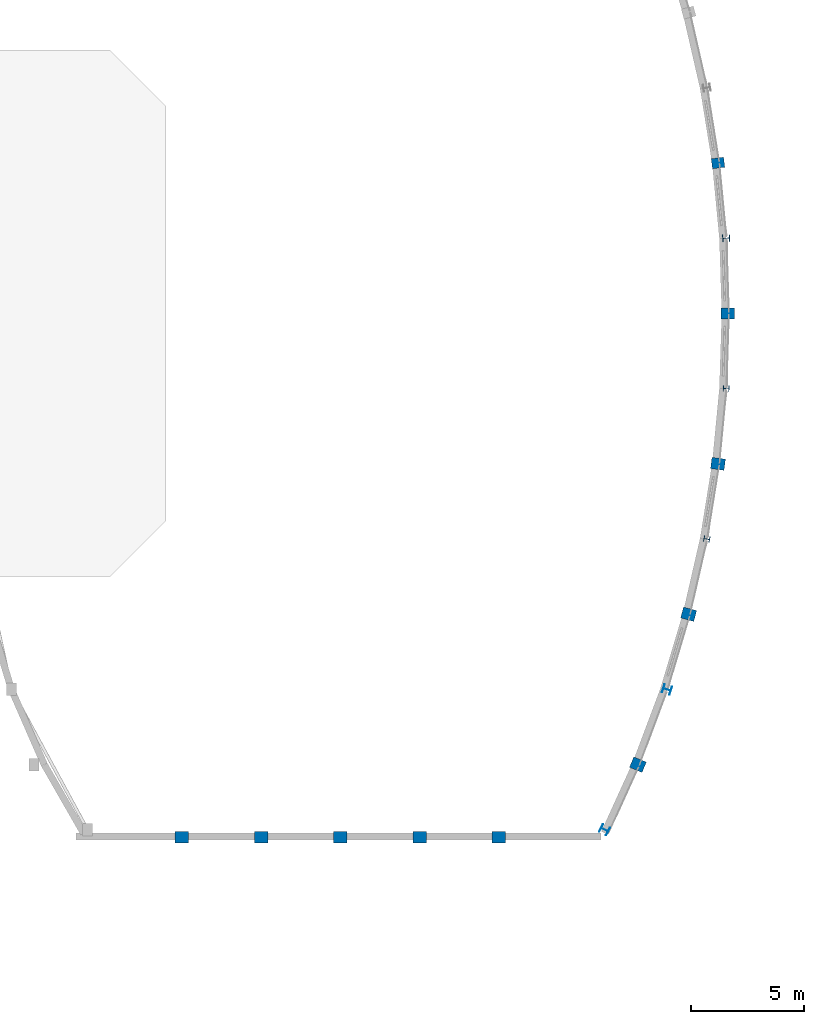
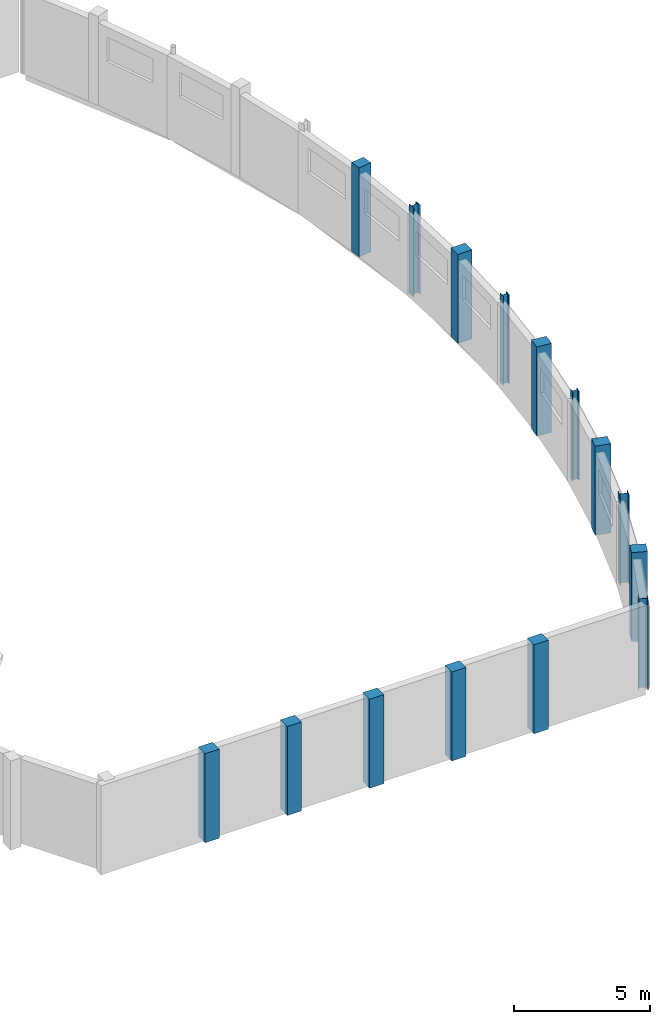
# One storey, part 12 of 89: 15 columns.
"""IFC4 building model written with IfcOpenShell, lengths in metres."""

from ifc_helpers import new_model, si_unit, direction, frame, origin, origin_2d, place, context, subcontext, project, spatial, rectangle, i_section, extrude, material, material_profile, profile_set, type_object, element, save


model = new_model("IFC4")

# Units and contexts
model_context = context("Model", 3, precision=1e-05, world=origin(), true_north=direction((0.0, 1.0)))
body_context = subcontext(model_context, "Body", "Model", "MODEL_VIEW")
ifc_project = project(units=[si_unit("LENGTHUNIT", "METRE"), si_unit("AREAUNIT", "SQUARE_METRE"), si_unit("VOLUMEUNIT", "CUBIC_METRE"), si_unit("PLANEANGLEUNIT", "RADIAN"), si_unit("MASSUNIT", "GRAM", prefix="KILO")], contexts=[model_context])

# Site, building, storey
site_placement = place(None, origin())
site = spatial("IfcSite", under=ifc_project, at=site_placement, CompositionType="ELEMENT")
building_placement = place(site_placement, origin())
building = spatial("IfcBuilding", under=site, at=building_placement, Name="Kelanivale Promenade Academy", CompositionType="ELEMENT")
storey_placement = place(building_placement, frame((0.0, 0.0, 12.199951171875)))
storey = spatial("IfcBuildingStorey", under=building, at=storey_placement, Name="L03", CompositionType="ELEMENT", Elevation=12.199951171875)

# Columns
ifc_material_1 = material(Name="Concrete C40/50", Category="concrete")
ifc_material_profile_1 = material_profile(ifc_material_1, rectangle(XDim=0.449951171875, YDim=0.550048828125, at=origin_2d()), Name="RC-PIL 450x550")
ifc_profile_set_1 = profile_set([ifc_material_profile_1], Name="Concrete C40/50")
column_type_1 = type_object("IfcColumnType", Name="PL-17 RC-PIL 450x550", PredefinedType="PILASTER", material=ifc_profile_set_1)
column_1_placement = place(storey_placement, frame((155.93603515625, 62.8291015625, 0.0), z_axis=(0.0, 0.0, 1.0), x_axis=(-0.12741083733, 0.991850028246, 0.0)))
element("IfcColumn", 1, at=column_1_placement, inside=storey, type_object=column_type_1, Name="Column PL-17 at (155.9, 62.8) L03", PredefinedType="PILASTER", context=body_context, shape_type="SweptSolid", body=[
    extrude(rectangle(XDim=0.449951171875, YDim=0.550048828125, at=origin_2d()), origin(), (0.0, 0.0, 1.0), 4.0),
])
ifc_material_profile_2 = material_profile(ifc_material_1, rectangle(XDim=0.5, YDim=0.60009765625, at=origin_2d()), Name="RC-PIL 500x600")
ifc_profile_set_2 = profile_set([ifc_material_profile_2], Name="Concrete C40/50")
column_type_2 = type_object("IfcColumnType", Name="PL-18 RC-PIL 500x600", PredefinedType="PILASTER", material=ifc_profile_set_2)
for number, where, z_axis, x_axis, name in (
    (2, (132.30810546875, 33.1201171875, 0.0), (0.0, 0.0, 1.0), (0.0, 1.0, 0.0), "Column PL-18 at (132.3, 33.1) L03"),
    (3, (135.801025390625, 33.1201171875, 0.0), (0.0, 0.0, 1.0), (0.0, 1.0, 0.0), "Column PL-18 at (135.8, 33.1) L03"),
    (4, (139.2939453125, 33.1201171875, 0.0), (0.0, 0.0, 1.0), (0.0, 1.0, 0.0), "Column PL-18 at (139.3, 33.1) L03"),
    (5, (142.787109375, 33.1201171875, 0.0), (0.0, 0.0, 1.0), (0.0, 1.0, 0.0), "Column PL-18 at (142.8, 33.1) L03"),
    (6, (146.280029296875, 33.1201171875, 0.0), (0.0, 0.0, 1.0), (0.0, 1.0, 0.0), "Column PL-18 at (146.3, 33.1) L03"),
    (7, (152.406982421875, 36.31396484375, 0.0), (0.0, 0.0, 1.0), (0.382360914263, 0.92401305794, 0.0), "Column PL-18 at (152.4, 36.3) L03"),
    (8, (154.64208984375, 42.943115234375, 0.0), (0.0, 0.0, 1.0), (0.2549394954, 0.966957007154, 0.0), "Column PL-18 at (154.6, 42.9) L03"),
    (9, (155.93603515625, 49.571044921875, 0.0), (0.0, 0.0, 1.0), (0.12741083733, 0.991850028246, 0.0), "Column PL-18 at (155.9, 49.6) L03"),
    (10, (156.360107421875, 56.199951171875, 0.0), (0.0, 0.0, 1.0), (0.0, 1.0, 0.0), "Column PL-18 at (156.4, 56.2) L03"),
):
    element("IfcColumn", number, at=place(storey_placement, frame(where, z_axis=z_axis, x_axis=x_axis)), inside=storey, type_object=column_type_2, Name=name, PredefinedType="PILASTER", context=body_context, shape_type="SweptSolid", body=[
        extrude(rectangle(XDim=0.5, YDim=0.60009765625, at=origin_2d()), origin(), (0.0, 0.0, 1.0), 4.0),
    ])
ifc_material_2 = material(Name="Steel S355", Category="steel")
ifc_material_profile_3 = material_profile(ifc_material_2, i_section(OverallWidth=0.25634765625, OverallDepth=0.26025390625, WebThickness=0.01025390625, FlangeThickness=0.017333984375, FilletRadius=0.0126953125, at=origin_2d()), Name="UC 254x254x89")
ifc_profile_set_3 = profile_set([ifc_material_profile_3], Name="Steel S355")
column_type_3 = type_object("IfcColumnType", Name="SC-03 UC 254x254x89", PredefinedType="COLUMN", material=ifc_profile_set_3)
for number, where, z_axis, x_axis, name in (
    (11, (155.44091796875, 46.257080078125, 0.0), (0.0, 0.0, 1.0), (0.191151636272, 0.981560518741, 0.0), "Column SC-03 at (155.4, 46.3) L03"),
    (12, (156.2939453125, 52.885986328125, 0.0), (0.0, 0.0, 1.0), (0.063661438132, 0.99797155335, 0.0), "Column SC-03 at (156.3, 52.9) L03"),
):
    element("IfcColumn", number, at=place(storey_placement, frame(where, z_axis=z_axis, x_axis=x_axis)), inside=storey, type_object=column_type_3, Name=name, PredefinedType="COLUMN", context=body_context, shape_type="SweptSolid", body=[
        extrude(i_section(OverallWidth=0.25634765625, OverallDepth=0.26025390625, WebThickness=0.01025390625, FlangeThickness=0.017333984375, FilletRadius=0.0126953125, at=origin_2d()), origin(), (0.0, 0.0, 1.0), 4.0),
    ])
ifc_material_profile_4 = material_profile(ifc_material_2, i_section(OverallWidth=0.307373046875, OverallDepth=0.314453125, WebThickness=0.011962890625, FlangeThickness=0.018798828125, FilletRadius=0.01513671875, at=origin_2d()), Name="UC 305x305x118")
ifc_profile_set_4 = profile_set([ifc_material_profile_4], Name="Steel S355")
column_type_4 = type_object("IfcColumnType", Name="SC-04 UC 305x305x118", PredefinedType="COLUMN", material=ifc_profile_set_4)
column_2_placement = place(storey_placement, frame((156.2939453125, 59.513916015625, 0.0), z_axis=(0.0, 0.0, 1.0), x_axis=(-0.063661438132, 0.99797155335, 0.0)))
element("IfcColumn", 13, at=column_2_placement, inside=storey, type_object=column_type_4, Name="Column SC-04 at (156.3, 59.5) L03", PredefinedType="COLUMN", context=body_context, shape_type="SweptSolid", body=[
    extrude(i_section(OverallWidth=0.307373046875, OverallDepth=0.314453125, WebThickness=0.011962890625, FlangeThickness=0.018798828125, FilletRadius=0.01513671875, at=origin_2d()), origin(), (0.0, 0.0, 1.0), 4.0),
])
ifc_material_profile_5 = material_profile(ifc_material_2, i_section(OverallWidth=0.37060546875, OverallDepth=0.362060546875, WebThickness=0.01220703125, FlangeThickness=0.020751953125, FilletRadius=0.01513671875, at=origin_2d()), Name="UC 356x368x153")
ifc_profile_set_5 = profile_set([ifc_material_profile_5], Name="Steel S355")
column_type_5 = type_object("IfcColumnType", Name="SC-05 UC 356x368x153", PredefinedType="COLUMN", material=ifc_profile_set_5)
for number, where, z_axis, x_axis, name in (
    (14, (150.93798828125, 33.449951171875, 0.0), (0.0, 0.0, 1.0), (0.44619781311, 0.894934361602, 0.0), "Column SC-05 at (150.9, 33.5) L03"),
    (15, (153.68896484375, 39.62890625, 0.0), (0.0, 0.0, 1.0), (0.318628456287, 0.947879690069, 0.0), "Column SC-05 at (153.7, 39.6) L03"),
):
    element("IfcColumn", number, at=place(storey_placement, frame(where, z_axis=z_axis, x_axis=x_axis)), inside=storey, type_object=column_type_5, Name=name, PredefinedType="COLUMN", context=body_context, shape_type="SweptSolid", body=[
        extrude(i_section(OverallWidth=0.37060546875, OverallDepth=0.362060546875, WebThickness=0.01220703125, FlangeThickness=0.020751953125, FilletRadius=0.01513671875, at=origin_2d()), origin(), (0.0, 0.0, 1.0), 4.0),
    ])

save(model, "model.ifc")
